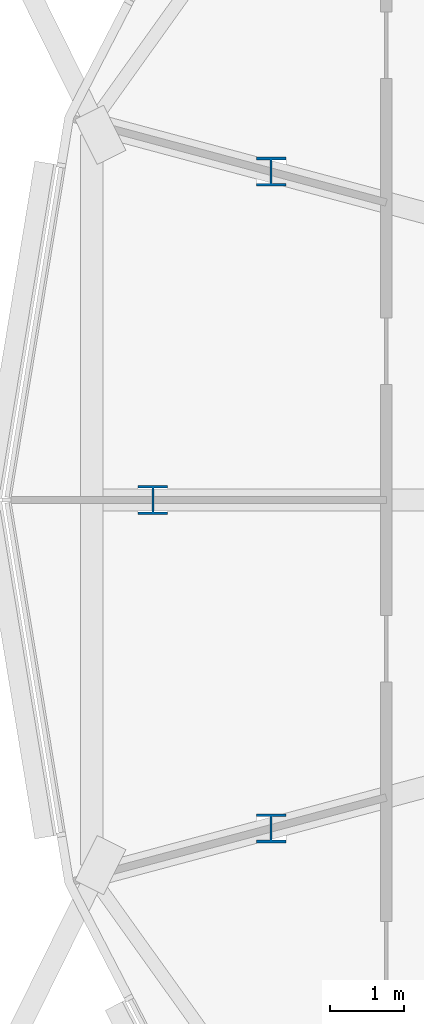
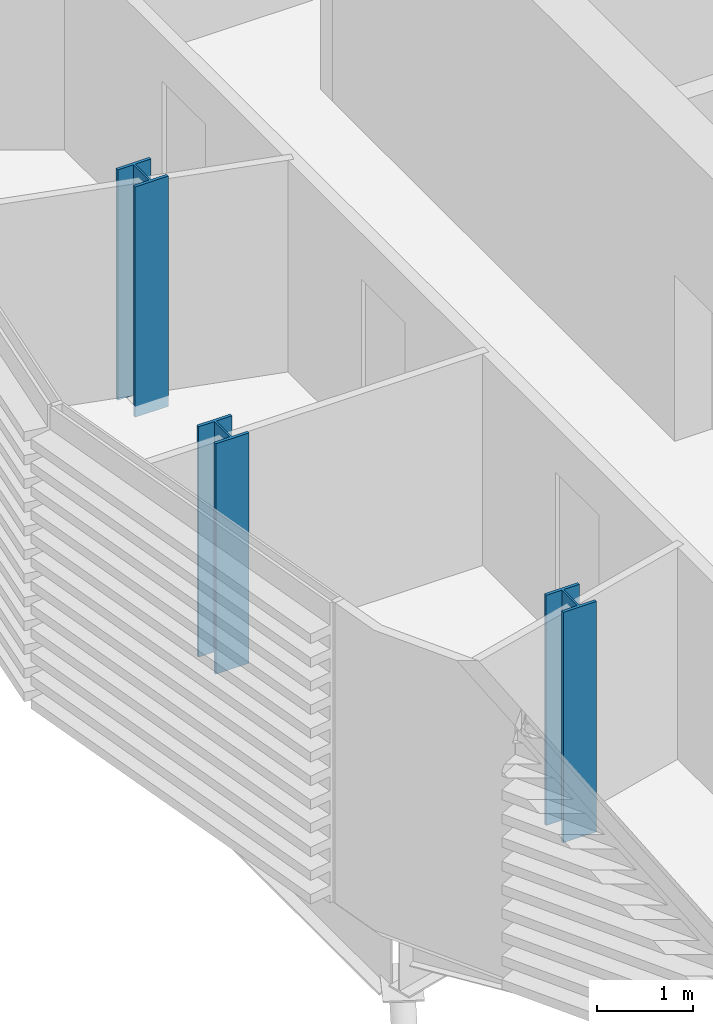
# One storey, part 1 of 34: 3 columns.
"""IFC4 building model written with IfcOpenShell, lengths in metres."""

from ifc_helpers import new_model, si_unit, direction, frame, origin, origin_2d, place, context, subcontext, project, spatial, i_section, extrude, material, material_profile, profile_set, type_object, element, save


model = new_model("IFC4")

# Units and contexts
model_context = context("Model", 3, precision=1e-05, world=origin(), true_north=direction((0.0, 1.0)))
body_context = subcontext(model_context, "Body", "Model", "MODEL_VIEW")
ifc_project = project(units=[si_unit("LENGTHUNIT", "METRE"), si_unit("AREAUNIT", "SQUARE_METRE"), si_unit("VOLUMEUNIT", "CUBIC_METRE"), si_unit("PLANEANGLEUNIT", "RADIAN"), si_unit("MASSUNIT", "GRAM", prefix="KILO")], contexts=[model_context])

# Site, building, storey
site_placement = place(None, origin())
site = spatial("IfcSite", under=ifc_project, at=site_placement, CompositionType="ELEMENT")
building_placement = place(site_placement, origin())
building = spatial("IfcBuilding", under=site, at=building_placement, Name="Rimbun Link Towers", CompositionType="ELEMENT")
storey_placement = place(building_placement, frame((0.0, 0.0, 252.300048828125)))
storey = spatial("IfcBuildingStorey", under=building, at=storey_placement, Name="L62", CompositionType="ELEMENT", Elevation=252.300048828125)

# Columns
ifc_material = material(Name="Steel S355J2", Category="steel")
ifc_material_profile = material_profile(ifc_material, i_section(OverallWidth=0.39892578125, OverallDepth=0.3935546875, WebThickness=0.022705078125, FlangeThickness=0.03662109375, at=origin_2d()), Name="UC 356x406x287")
ifc_profile_set = profile_set([ifc_material_profile], Name="Steel S355J2")
column_type = type_object("IfcColumnType", Name="UC 356x406x287", PredefinedType="COLUMN", material=ifc_profile_set)
for number, where, z_axis, x_axis, name in (
    (1, (-48.33447265625, 4.44384765625, -0.14013671875), (0.0, 0.0, 1.0), (1.0, 0.0, 0.0), "Crease post T1 L62 11"),
    (2, (-49.93310546875, 0.0, -0.14013671875), (0.0, 0.0, 1.0), (1.0, 0.0, 0.0), "Crease post T1 L62 12"),
    (3, (-48.33447265625, -4.44384765625, -0.14013671875), (0.0, 0.0, 1.0), (1.0, 0.0, 0.0), "Crease post T1 L62 13"),
):
    element("IfcColumn", number, at=place(storey_placement, frame(where, z_axis=z_axis, x_axis=x_axis)), inside=storey, type_object=column_type, Name=name, PredefinedType="COLUMN", context=body_context, shape_type="SweptSolid", body=[
        extrude(i_section(OverallWidth=0.39892578125, OverallDepth=0.3935546875, WebThickness=0.022705078125, FlangeThickness=0.03662109375, at=origin_2d()), origin(), (0.0, 0.0, 1.0), 2.91943359375),
    ])

save(model, "model.ifc")
